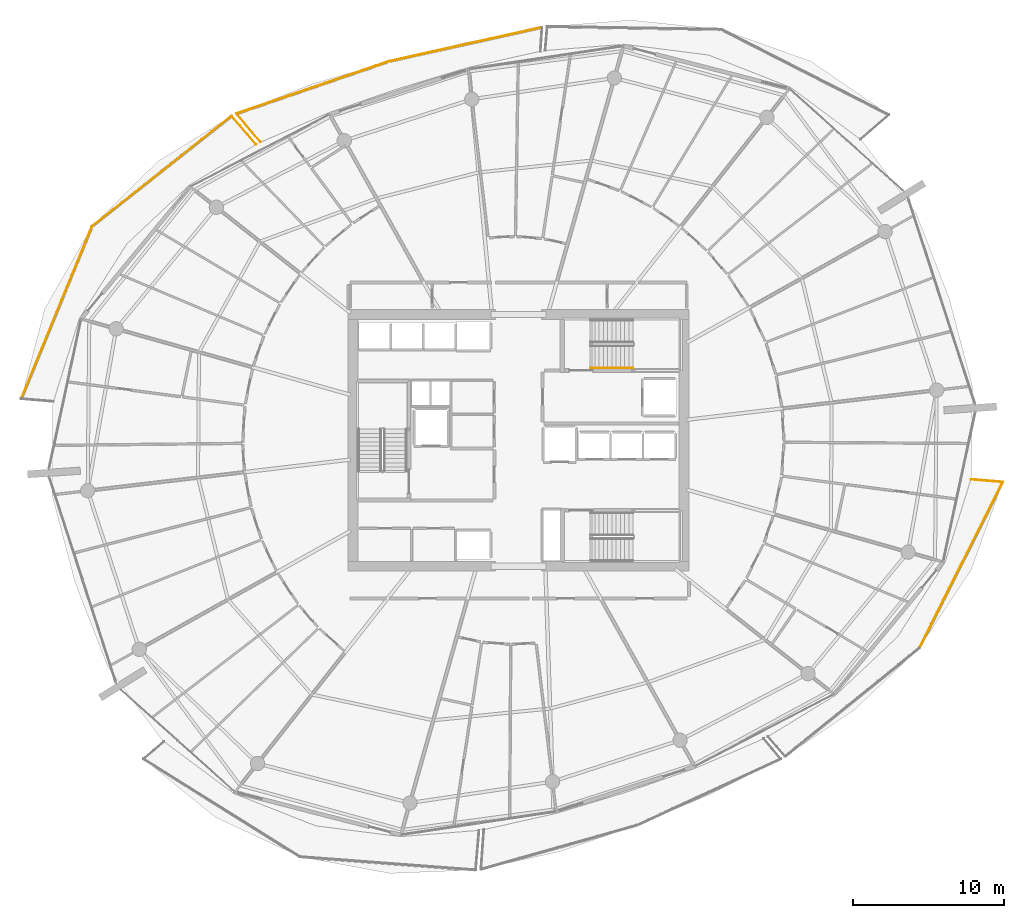
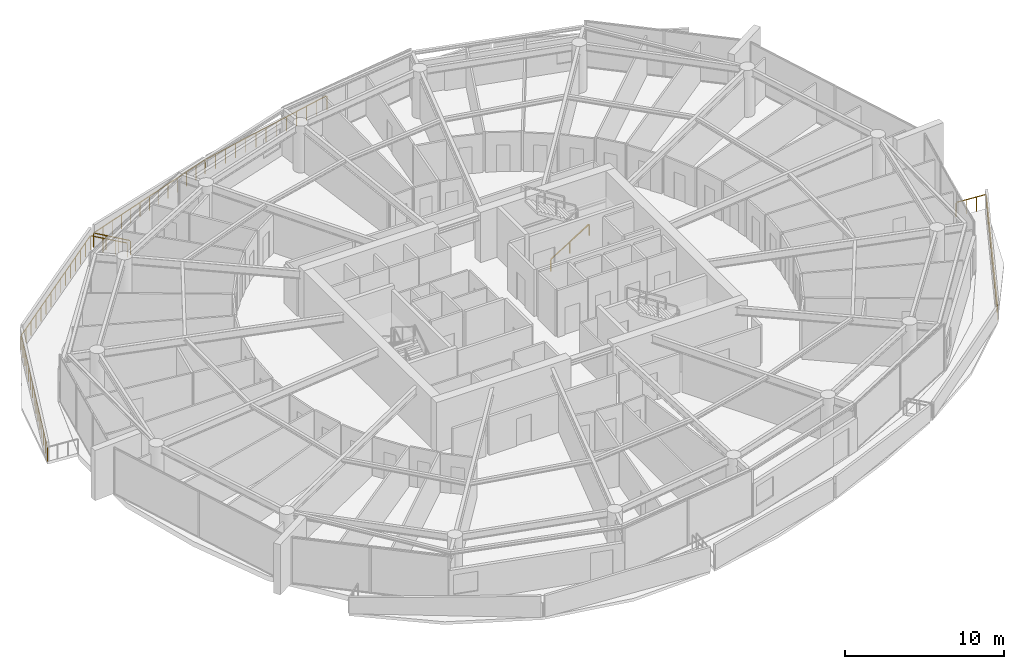
# One storey, part 28 of 30: 9 railings.
"""IFC4 building model written with IfcOpenShell, lengths in metres."""

from ifc_helpers import new_model, si_unit, direction, frame, origin, origin_2d, place, context, subcontext, project, spatial, rectangle, extrude, material, type_object, element, save


model = new_model("IFC4")

# Units and contexts
model_context = context("Model", 3, precision=1e-05, world=origin(), true_north=direction((0.0, 1.0)))
body_context = subcontext(model_context, "Body", "Model", "MODEL_VIEW")
ifc_project = project(units=[si_unit("LENGTHUNIT", "METRE"), si_unit("AREAUNIT", "SQUARE_METRE"), si_unit("VOLUMEUNIT", "CUBIC_METRE"), si_unit("PLANEANGLEUNIT", "RADIAN"), si_unit("MASSUNIT", "GRAM", prefix="KILO")], contexts=[model_context])

# Site, building, storey
site_placement = place(None, origin())
site = spatial("IfcSite", under=ifc_project, at=site_placement, CompositionType="ELEMENT")
building_placement = place(site_placement, origin())
building = spatial("IfcBuilding", under=site, at=building_placement, Name="Kazma Halo Residences", CompositionType="ELEMENT")
storey_placement = place(building_placement, frame((0.0, 0.0, 236.699951171875)))
storey = spatial("IfcBuildingStorey", under=building, at=storey_placement, Name="L59", CompositionType="ELEMENT", Elevation=236.699951171875)

# Railings
ifc_material_1 = material(Name="Aluminium AW-6063 T6 Brushed Cap Rail", Category="aluminium")
railing_type_1 = type_object("IfcRailingType", Name="RLG-BAL-CAP-1120", PredefinedType="BALUSTRADE", material=ifc_material_1)
railing_1_placement = place(storey_placement, frame((49.98291015625, 69.327392578125, 0.0)))
element("IfcRailing", 1, at=railing_1_placement, inside=storey, type_object=railing_type_1, Name="L59 NNW wave balcony guard 2", PredefinedType="BALUSTRADE", context=body_context, shape_type="SweptSolid", body=[
    extrude(rectangle(XDim=0.050048828125, YDim=0.050048828125, at=origin_2d()), frame((-0.04150390625, -0.00927734375, 1.09521484375), z_axis=(-0.976128347195, -0.217194497633, 0.0), x_axis=(0.217194497633, -0.976128347195, 0.0)), (0.0, 0.0, 1.0), 10.292236328125),
    extrude(rectangle(XDim=0.0400390625, YDim=0.0400390625, at=origin_2d()), origin(), (0.0, 0.0, 1.0), 1.05810546875),
    extrude(rectangle(XDim=0.0400390625, YDim=0.0400390625, at=origin_2d()), frame((-0.84423828125, -0.187744140625, 0.0)), (0.0, 0.0, 1.0), 1.05810546875),
    extrude(rectangle(XDim=0.0400390625, YDim=0.0400390625, at=origin_2d()), frame((-1.688232421875, -0.375732421875, 0.0)), (0.0, 0.0, 1.0), 1.05810546875),
    extrude(rectangle(XDim=0.0400390625, YDim=0.0400390625, at=origin_2d()), frame((-2.532470703125, -0.5634765625, 0.0)), (0.0, 0.0, 1.0), 1.05810546875),
    extrude(rectangle(XDim=0.0400390625, YDim=0.0400390625, at=origin_2d()), frame((-3.37646484375, -0.751220703125, 0.0)), (0.0, 0.0, 1.0), 1.05810546875),
    extrude(rectangle(XDim=0.0400390625, YDim=0.0400390625, at=origin_2d()), frame((-4.220703125, -0.939208984375, 0.0)), (0.0, 0.0, 1.0), 1.05810546875),
    extrude(rectangle(XDim=0.0400390625, YDim=0.0400390625, at=origin_2d()), frame((-5.06494140625, -1.126953125, 0.0)), (0.0, 0.0, 1.0), 1.05810546875),
    extrude(rectangle(XDim=0.0400390625, YDim=0.0400390625, at=origin_2d()), frame((-5.908935546875, -1.314697265625, 0.0)), (0.0, 0.0, 1.0), 1.05810546875),
    extrude(rectangle(XDim=0.0400390625, YDim=0.0400390625, at=origin_2d()), frame((-6.753173828125, -1.502685546875, 0.0)), (0.0, 0.0, 1.0), 1.05810546875),
    extrude(rectangle(XDim=0.0400390625, YDim=0.0400390625, at=origin_2d()), frame((-7.59716796875, -1.6904296875, 0.0)), (0.0, 0.0, 1.0), 1.05810546875),
    extrude(rectangle(XDim=0.0400390625, YDim=0.0400390625, at=origin_2d()), frame((-8.44140625, -1.878173828125, 0.0)), (0.0, 0.0, 1.0), 1.05810546875),
    extrude(rectangle(XDim=0.0400390625, YDim=0.0400390625, at=origin_2d()), frame((-9.285400390625, -2.066162109375, 0.0)), (0.0, 0.0, 1.0), 1.05810546875),
    extrude(rectangle(XDim=0.0400390625, YDim=0.0400390625, at=origin_2d()), frame((-10.129638671875, -2.25390625, 0.0)), (0.0, 0.0, 1.0), 1.05810546875),
])
railing_2_placement = place(storey_placement, frame((39.853271484375, 67.073486328125, 0.0)))
element("IfcRailing", 2, at=railing_2_placement, inside=storey, type_object=railing_type_1, Name="L59 NNW wave balcony guard 3", PredefinedType="BALUSTRADE", context=body_context, shape_type="SweptSolid", body=[
    extrude(rectangle(XDim=0.050048828125, YDim=0.050048828125, at=origin_2d()), frame((-0.040283203125, -0.013671875, 1.09521484375), z_axis=(-0.945989483895, -0.324197310845, 0.0), x_axis=(0.324197310845, -0.945989483895, 0.0)), (0.0, 0.0, 1.0), 10.5791015625),
    extrude(rectangle(XDim=0.0400390625, YDim=0.0400390625, at=origin_2d()), origin(), (0.0, 0.0, 1.0), 1.05810546875),
    extrude(rectangle(XDim=0.0400390625, YDim=0.0400390625, at=origin_2d()), frame((-0.840576171875, -0.2880859375, 0.0)), (0.0, 0.0, 1.0), 1.05810546875),
    extrude(rectangle(XDim=0.0400390625, YDim=0.0400390625, at=origin_2d()), frame((-1.681396484375, -0.576171875, 0.0)), (0.0, 0.0, 1.0), 1.05810546875),
    extrude(rectangle(XDim=0.0400390625, YDim=0.0400390625, at=origin_2d()), frame((-2.52197265625, -0.8642578125, 0.0)), (0.0, 0.0, 1.0), 1.05810546875),
    extrude(rectangle(XDim=0.0400390625, YDim=0.0400390625, at=origin_2d()), frame((-3.36279296875, -1.15234375, 0.0)), (0.0, 0.0, 1.0), 1.05810546875),
    extrude(rectangle(XDim=0.0400390625, YDim=0.0400390625, at=origin_2d()), frame((-4.203369140625, -1.4404296875, 0.0)), (0.0, 0.0, 1.0), 1.05810546875),
    extrude(rectangle(XDim=0.0400390625, YDim=0.0400390625, at=origin_2d()), frame((-5.0439453125, -1.728515625, 0.0)), (0.0, 0.0, 1.0), 1.05810546875),
    extrude(rectangle(XDim=0.0400390625, YDim=0.0400390625, at=origin_2d()), frame((-5.884765625, -2.016845703125, 0.0)), (0.0, 0.0, 1.0), 1.05810546875),
    extrude(rectangle(XDim=0.0400390625, YDim=0.0400390625, at=origin_2d()), frame((-6.725341796875, -2.304931640625, 0.0)), (0.0, 0.0, 1.0), 1.05810546875),
    extrude(rectangle(XDim=0.0400390625, YDim=0.0400390625, at=origin_2d()), frame((-7.566162109375, -2.593017578125, 0.0)), (0.0, 0.0, 1.0), 1.05810546875),
    extrude(rectangle(XDim=0.0400390625, YDim=0.0400390625, at=origin_2d()), frame((-8.40673828125, -2.881103515625, 0.0)), (0.0, 0.0, 1.0), 1.05810546875),
    extrude(rectangle(XDim=0.0400390625, YDim=0.0400390625, at=origin_2d()), frame((-9.24755859375, -3.169189453125, 0.0)), (0.0, 0.0, 1.0), 1.05810546875),
    extrude(rectangle(XDim=0.0400390625, YDim=0.0400390625, at=origin_2d()), frame((-10.088134765625, -3.457275390625, 0.0)), (0.0, 0.0, 1.0), 1.05810546875),
])
railing_3_placement = place(storey_placement, frame((29.76513671875, 63.6162109375, 0.0)))
element("IfcRailing", 3, at=railing_3_placement, inside=storey, type_object=railing_type_1, Name="L59 NNW wave balcony guard 4", PredefinedType="BALUSTRADE", context=body_context, shape_type="SweptSolid", body=[
    extrude(rectangle(XDim=0.050048828125, YDim=0.050048828125, at=origin_2d()), frame((0.02734375, -0.032470703125, 1.09521484375), z_axis=(0.644836604623, -0.764320451995, 0.0), x_axis=(0.764320451995, 0.644836604623, 0.0)), (0.0, 0.0, 1.0), 2.381103515625),
    extrude(rectangle(XDim=0.0400390625, YDim=0.0400390625, at=origin_2d()), origin(), (0.0, 0.0, 1.0), 1.05810546875),
    extrude(rectangle(XDim=0.0400390625, YDim=0.0400390625, at=origin_2d()), frame((0.530029296875, -0.62841796875, 0.0)), (0.0, 0.0, 1.0), 1.05810546875),
    extrude(rectangle(XDim=0.0400390625, YDim=0.0400390625, at=origin_2d()), frame((1.060302734375, -1.256591796875, 0.0)), (0.0, 0.0, 1.0), 1.05810546875),
    extrude(rectangle(XDim=0.0400390625, YDim=0.0400390625, at=origin_2d()), frame((1.59033203125, -1.885009765625, 0.0)), (0.0, 0.0, 1.0), 1.05810546875),
])
railing_4_placement = place(storey_placement, frame((31.06787109375, 61.58154296875, 0.0)))
element("IfcRailing", 4, at=railing_4_placement, inside=storey, type_object=railing_type_1, Name="L59 NW wave balcony guard 1", PredefinedType="BALUSTRADE", context=body_context, shape_type="SweptSolid", body=[
    extrude(rectangle(XDim=0.050048828125, YDim=0.050048828125, at=origin_2d()), frame((-0.02783203125, 0.0322265625, 1.09521484375), z_axis=(-0.65405468869, 0.756447264654, 0.0), x_axis=(-0.756447264654, -0.65405468869, 0.0)), (0.0, 0.0, 1.0), 2.3994140625),
    extrude(rectangle(XDim=0.0400390625, YDim=0.0400390625, at=origin_2d()), origin(), (0.0, 0.0, 1.0), 1.05810546875),
    extrude(rectangle(XDim=0.0400390625, YDim=0.0400390625, at=origin_2d()), frame((-0.541748046875, 0.62646484375, 0.0)), (0.0, 0.0, 1.0), 1.05810546875),
    extrude(rectangle(XDim=0.0400390625, YDim=0.0400390625, at=origin_2d()), frame((-1.083251953125, 1.2529296875, 0.0)), (0.0, 0.0, 1.0), 1.05810546875),
    extrude(rectangle(XDim=0.0400390625, YDim=0.0400390625, at=origin_2d()), frame((-1.625, 1.87939453125, 0.0)), (0.0, 0.0, 1.0), 1.05810546875),
])
railing_5_placement = place(storey_placement, frame((29.44287109375, 63.4609375, 0.0)))
element("IfcRailing", 5, at=railing_5_placement, inside=storey, type_object=railing_type_1, Name="L59 NW wave balcony guard 2", PredefinedType="BALUSTRADE", context=body_context, shape_type="SweptSolid", body=[
    extrude(rectangle(XDim=0.050048828125, YDim=0.050048828125, at=origin_2d()), frame((-0.033447265625, -0.0263671875, 1.09521484375), z_axis=(-0.784537591948, -0.62008125824, 0.0), x_axis=(0.62008125824, -0.784537591948, 0.0)), (0.0, 0.0, 1.0), 11.687255859375),
    extrude(rectangle(XDim=0.0400390625, YDim=0.0400390625, at=origin_2d()), origin(), (0.0, 0.0, 1.0), 1.05810546875),
    extrude(rectangle(XDim=0.0400390625, YDim=0.0400390625, at=origin_2d()), frame((-0.65966796875, -0.521484375, 0.0)), (0.0, 0.0, 1.0), 1.05810546875),
    extrude(rectangle(XDim=0.0400390625, YDim=0.0400390625, at=origin_2d()), frame((-1.3193359375, -1.042724609375, 0.0)), (0.0, 0.0, 1.0), 1.05810546875),
    extrude(rectangle(XDim=0.0400390625, YDim=0.0400390625, at=origin_2d()), frame((-1.97900390625, -1.564208984375, 0.0)), (0.0, 0.0, 1.0), 1.05810546875),
    extrude(rectangle(XDim=0.0400390625, YDim=0.0400390625, at=origin_2d()), frame((-2.638916015625, -2.085693359375, 0.0)), (0.0, 0.0, 1.0), 1.05810546875),
    extrude(rectangle(XDim=0.0400390625, YDim=0.0400390625, at=origin_2d()), frame((-3.298583984375, -2.607177734375, 0.0)), (0.0, 0.0, 1.0), 1.05810546875),
    extrude(rectangle(XDim=0.0400390625, YDim=0.0400390625, at=origin_2d()), frame((-3.958251953125, -3.12841796875, 0.0)), (0.0, 0.0, 1.0), 1.05810546875),
    extrude(rectangle(XDim=0.0400390625, YDim=0.0400390625, at=origin_2d()), frame((-4.617919921875, -3.64990234375, 0.0)), (0.0, 0.0, 1.0), 1.05810546875),
    extrude(rectangle(XDim=0.0400390625, YDim=0.0400390625, at=origin_2d()), frame((-5.277587890625, -4.17138671875, 0.0)), (0.0, 0.0, 1.0), 1.05810546875),
    extrude(rectangle(XDim=0.0400390625, YDim=0.0400390625, at=origin_2d()), frame((-5.937255859375, -4.692626953125, 0.0)), (0.0, 0.0, 1.0), 1.05810546875),
    extrude(rectangle(XDim=0.0400390625, YDim=0.0400390625, at=origin_2d()), frame((-6.596923828125, -5.214111328125, 0.0)), (0.0, 0.0, 1.0), 1.05810546875),
    extrude(rectangle(XDim=0.0400390625, YDim=0.0400390625, at=origin_2d()), frame((-7.2568359375, -5.735595703125, 0.0)), (0.0, 0.0, 1.0), 1.05810546875),
    extrude(rectangle(XDim=0.0400390625, YDim=0.0400390625, at=origin_2d()), frame((-7.91650390625, -6.257080078125, 0.0)), (0.0, 0.0, 1.0), 1.05810546875),
    extrude(rectangle(XDim=0.0400390625, YDim=0.0400390625, at=origin_2d()), frame((-8.576171875, -6.7783203125, 0.0)), (0.0, 0.0, 1.0), 1.05810546875),
    extrude(rectangle(XDim=0.0400390625, YDim=0.0400390625, at=origin_2d()), frame((-9.23583984375, -7.2998046875, 0.0)), (0.0, 0.0, 1.0), 1.05810546875),
])
railing_6_placement = place(storey_placement, frame((20.20703125, 56.1611328125, 0.0)))
element("IfcRailing", 6, at=railing_6_placement, inside=storey, type_object=railing_type_1, Name="L59 NW wave balcony guard 3", PredefinedType="BALUSTRADE", context=body_context, shape_type="SweptSolid", body=[
    extrude(rectangle(XDim=0.050048828125, YDim=0.050048828125, at=origin_2d()), frame((-0.01611328125, -0.039306640625, 1.09521484375), z_axis=(-0.379601121208, -0.925150252001, 0.0), x_axis=(0.925150252001, -0.379601121208, 0.0)), (0.0, 0.0, 1.0), 12.243408203125),
    extrude(rectangle(XDim=0.0400390625, YDim=0.0400390625, at=origin_2d()), origin(), (0.0, 0.0, 1.0), 1.05810546875),
    extrude(rectangle(XDim=0.0400390625, YDim=0.0400390625, at=origin_2d()), frame((-0.334228515625, -0.814697265625, 0.0)), (0.0, 0.0, 1.0), 1.05810546875),
    extrude(rectangle(XDim=0.0400390625, YDim=0.0400390625, at=origin_2d()), frame((-0.66845703125, -1.62939453125, 0.0)), (0.0, 0.0, 1.0), 1.05810546875),
    extrude(rectangle(XDim=0.0400390625, YDim=0.0400390625, at=origin_2d()), frame((-1.0029296875, -2.444091796875, 0.0)), (0.0, 0.0, 1.0), 1.05810546875),
    extrude(rectangle(XDim=0.0400390625, YDim=0.0400390625, at=origin_2d()), frame((-1.337158203125, -3.2587890625, 0.0)), (0.0, 0.0, 1.0), 1.05810546875),
    extrude(rectangle(XDim=0.0400390625, YDim=0.0400390625, at=origin_2d()), frame((-1.67138671875, -4.073486328125, 0.0)), (0.0, 0.0, 1.0), 1.05810546875),
    extrude(rectangle(XDim=0.0400390625, YDim=0.0400390625, at=origin_2d()), frame((-2.005615234375, -4.88818359375, 0.0)), (0.0, 0.0, 1.0), 1.05810546875),
    extrude(rectangle(XDim=0.0400390625, YDim=0.0400390625, at=origin_2d()), frame((-2.33984375, -5.702880859375, 0.0)), (0.0, 0.0, 1.0), 1.05810546875),
    extrude(rectangle(XDim=0.0400390625, YDim=0.0400390625, at=origin_2d()), frame((-2.67431640625, -6.517578125, 0.0)), (0.0, 0.0, 1.0), 1.05810546875),
    extrude(rectangle(XDim=0.0400390625, YDim=0.0400390625, at=origin_2d()), frame((-3.008544921875, -7.332275390625, 0.0)), (0.0, 0.0, 1.0), 1.05810546875),
    extrude(rectangle(XDim=0.0400390625, YDim=0.0400390625, at=origin_2d()), frame((-3.3427734375, -8.14697265625, 0.0)), (0.0, 0.0, 1.0), 1.05810546875),
    extrude(rectangle(XDim=0.0400390625, YDim=0.0400390625, at=origin_2d()), frame((-3.677001953125, -8.961669921875, 0.0)), (0.0, 0.0, 1.0), 1.05810546875),
    extrude(rectangle(XDim=0.0400390625, YDim=0.0400390625, at=origin_2d()), frame((-4.011474609375, -9.7763671875, 0.0)), (0.0, 0.0, 1.0), 1.05810546875),
    extrude(rectangle(XDim=0.0400390625, YDim=0.0400390625, at=origin_2d()), frame((-4.345703125, -10.591064453125, 0.0)), (0.0, 0.0, 1.0), 1.05810546875),
    extrude(rectangle(XDim=0.0400390625, YDim=0.0400390625, at=origin_2d()), frame((-4.679931640625, -11.40576171875, 0.0)), (0.0, 0.0, 1.0), 1.05810546875),
])
railing_7_placement = place(storey_placement, frame((74.936767578125, 28.27490234375, 0.0)))
element("IfcRailing", 7, at=railing_7_placement, inside=storey, type_object=railing_type_1, Name="L59 SE wave balcony guard 3", PredefinedType="BALUSTRADE", context=body_context, shape_type="SweptSolid", body=[
    extrude(rectangle(XDim=0.050048828125, YDim=0.050048828125, at=origin_2d()), frame((0.01904296875, 0.0380859375, 1.09521484375), z_axis=(0.449279975195, 0.893391013996, 0.0), x_axis=(-0.893391013996, 0.449279975195, 0.0)), (0.0, 0.0, 1.0), 12.1953125),
    extrude(rectangle(XDim=0.0400390625, YDim=0.0400390625, at=origin_2d()), origin(), (0.0, 0.0, 1.0), 1.05810546875),
    extrude(rectangle(XDim=0.0400390625, YDim=0.0400390625, at=origin_2d()), frame((0.39404296875, 0.78369140625, 0.0)), (0.0, 0.0, 1.0), 1.05810546875),
    extrude(rectangle(XDim=0.0400390625, YDim=0.0400390625, at=origin_2d()), frame((0.7880859375, 1.5673828125, 0.0)), (0.0, 0.0, 1.0), 1.05810546875),
    extrude(rectangle(XDim=0.0400390625, YDim=0.0400390625, at=origin_2d()), frame((1.182373046875, 2.35107421875, 0.0)), (0.0, 0.0, 1.0), 1.05810546875),
    extrude(rectangle(XDim=0.0400390625, YDim=0.0400390625, at=origin_2d()), frame((1.576416015625, 3.134521484375, 0.0)), (0.0, 0.0, 1.0), 1.05810546875),
    extrude(rectangle(XDim=0.0400390625, YDim=0.0400390625, at=origin_2d()), frame((1.970458984375, 3.918212890625, 0.0)), (0.0, 0.0, 1.0), 1.05810546875),
    extrude(rectangle(XDim=0.0400390625, YDim=0.0400390625, at=origin_2d()), frame((2.364501953125, 4.701904296875, 0.0)), (0.0, 0.0, 1.0), 1.05810546875),
    extrude(rectangle(XDim=0.0400390625, YDim=0.0400390625, at=origin_2d()), frame((2.7587890625, 5.485595703125, 0.0)), (0.0, 0.0, 1.0), 1.05810546875),
    extrude(rectangle(XDim=0.0400390625, YDim=0.0400390625, at=origin_2d()), frame((3.15283203125, 6.269287109375, 0.0)), (0.0, 0.0, 1.0), 1.05810546875),
    extrude(rectangle(XDim=0.0400390625, YDim=0.0400390625, at=origin_2d()), frame((3.546875, 7.052978515625, 0.0)), (0.0, 0.0, 1.0), 1.05810546875),
    extrude(rectangle(XDim=0.0400390625, YDim=0.0400390625, at=origin_2d()), frame((3.94091796875, 7.836669921875, 0.0)), (0.0, 0.0, 1.0), 1.05810546875),
    extrude(rectangle(XDim=0.0400390625, YDim=0.0400390625, at=origin_2d()), frame((4.3349609375, 8.6201171875, 0.0)), (0.0, 0.0, 1.0), 1.05810546875),
    extrude(rectangle(XDim=0.0400390625, YDim=0.0400390625, at=origin_2d()), frame((4.729248046875, 9.40380859375, 0.0)), (0.0, 0.0, 1.0), 1.05810546875),
    extrude(rectangle(XDim=0.0400390625, YDim=0.0400390625, at=origin_2d()), frame((5.123291015625, 10.1875, 0.0)), (0.0, 0.0, 1.0), 1.05810546875),
    extrude(rectangle(XDim=0.0400390625, YDim=0.0400390625, at=origin_2d()), frame((5.517333984375, 10.97119140625, 0.0)), (0.0, 0.0, 1.0), 1.05810546875),
])
railing_8_placement = place(storey_placement, frame((80.4541015625, 39.24609375, 0.0)))
element("IfcRailing", 8, at=railing_8_placement, inside=storey, type_object=railing_type_1, Name="L59 SE wave balcony guard 4", PredefinedType="BALUSTRADE", context=body_context, shape_type="SweptSolid", body=[
    extrude(rectangle(XDim=0.050048828125, YDim=0.050048828125, at=origin_2d()), frame((-0.04248046875, 0.003662109375, 1.09521484375), z_axis=(-0.996412127571, 0.084633752307, 0.0), x_axis=(-0.084633752307, -0.996412127571, 0.0)), (0.0, 0.0, 1.0), 2.026611328125),
    extrude(rectangle(XDim=0.0400390625, YDim=0.0400390625, at=origin_2d()), origin(), (0.0, 0.0, 1.0), 1.05810546875),
    extrude(rectangle(XDim=0.0400390625, YDim=0.0400390625, at=origin_2d()), frame((-0.701416015625, 0.0595703125, 0.0)), (0.0, 0.0, 1.0), 1.05810546875),
    extrude(rectangle(XDim=0.0400390625, YDim=0.0400390625, at=origin_2d()), frame((-1.402587890625, 0.119140625, 0.0)), (0.0, 0.0, 1.0), 1.05810546875),
    extrude(rectangle(XDim=0.0400390625, YDim=0.0400390625, at=origin_2d()), frame((-2.10400390625, 0.1787109375, 0.0)), (0.0, 0.0, 1.0), 1.05810546875),
])
ifc_material_2 = material(Name="Brushed Stainless Steel", Category="steel")
railing_type_2 = type_object("IfcRailingType", Name="RLG-STAIR-HND-900", PredefinedType="HANDRAIL", material=ifc_material_2)
railing_9_placement = place(storey_placement, frame((53.199951171875, 46.800048828125, 0.175048828125)))
element("IfcRailing", 9, at=railing_9_placement, inside=storey, type_object=railing_type_2, Name="L59 ST-02 stair handrail 1", PredefinedType="HANDRAIL", context=body_context, shape_type="SweptSolid", body=[
    extrude(rectangle(XDim=0.050048828125, YDim=0.050048828125, at=origin_2d()), frame((0.0361328125, 0.0, 0.8974609375), z_axis=(0.848002457836, 0.0, 0.529992293815), x_axis=(0.0, 1.0, 0.0)), (0.0, 0.0, 1.0), 3.216796875),
    extrude(rectangle(XDim=0.0400390625, YDim=0.0400390625, at=origin_2d()), origin(), (0.0, 0.0, 1.0), 0.837890625),
    extrude(rectangle(XDim=0.0400390625, YDim=0.0400390625, at=origin_2d()), frame((1.39990234375, 0.0, 0.875)), (0.0, 0.0, 1.0), 0.837890625),
    extrude(rectangle(XDim=0.0400390625, YDim=0.0400390625, at=origin_2d()), frame((2.800048828125, 0.0, 1.75)), (0.0, 0.0, 1.0), 0.837890625),
])

save(model, "model.ifc")
